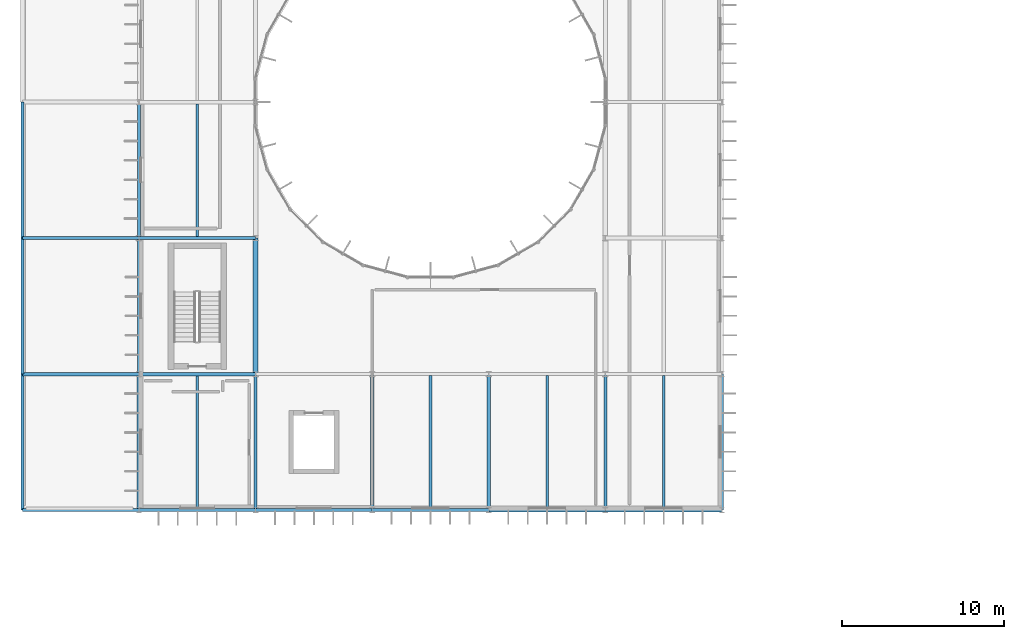
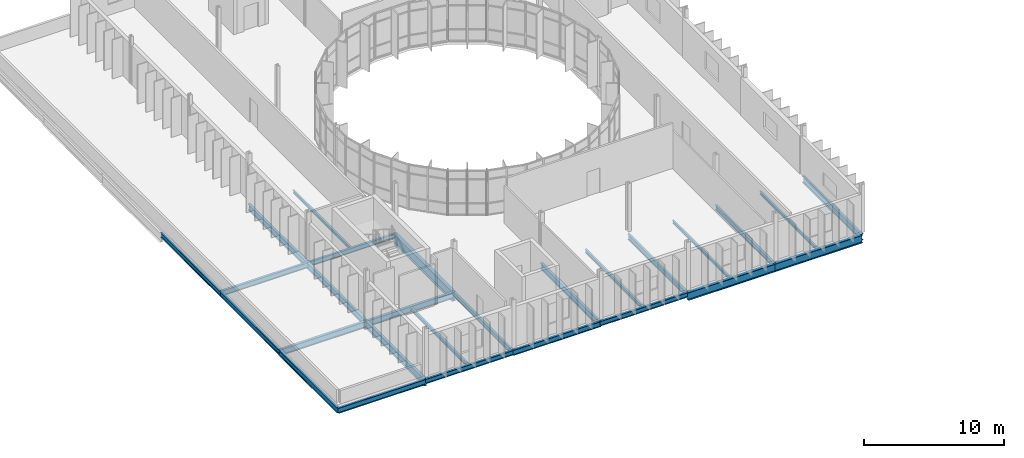
# One storey, part 13 of 52: 27 beams.
"""IFC4 building model written with IfcOpenShell, lengths in metres."""

from ifc_helpers import new_model, si_unit, direction, frame, origin, origin_2d, place, context, subcontext, project, spatial, i_section, extrude, material, material_profile, profile_set, type_object, element, save


model = new_model("IFC4")

# Units and contexts
model_context = context("Model", 3, precision=1e-05, world=origin(), true_north=direction((0.0, 1.0)))
body_context = subcontext(model_context, "Body", "Model", "MODEL_VIEW")
ifc_project = project(units=[si_unit("LENGTHUNIT", "METRE"), si_unit("AREAUNIT", "SQUARE_METRE"), si_unit("VOLUMEUNIT", "CUBIC_METRE"), si_unit("PLANEANGLEUNIT", "RADIAN"), si_unit("MASSUNIT", "GRAM", prefix="KILO")], contexts=[model_context])

# Site, building, storey
site_placement = place(None, origin())
site = spatial("IfcSite", under=ifc_project, at=site_placement, CompositionType="ELEMENT")
building_placement = place(site_placement, origin())
building = spatial("IfcBuilding", under=site, at=building_placement, Name="Qelthora Terrace Specialist Clinic", CompositionType="ELEMENT")
storey_placement = place(building_placement, frame((0.0, 0.0, 17.39990234375)))
storey = spatial("IfcBuildingStorey", under=building, at=storey_placement, Name="L04", CompositionType="ELEMENT", Elevation=17.39990234375)

# Beams
ifc_material = material(Name="Steel S355", Category="steel")
ifc_material_profile_1 = material_profile(ifc_material, i_section(OverallWidth=0.178955078125, OverallDepth=0.409912109375, WebThickness=0.0087890625, FlangeThickness=0.014404296875, FilletRadius=0.011962890625, at=origin_2d()), Name="W410X67")
ifc_profile_set_1 = profile_set([ifc_material_profile_1], Name="Steel S355")
beam_type_1 = type_object("IfcBeamType", Name="BM-W410X67", PredefinedType="BEAM", material=ifc_profile_set_1)
for number, where, z_axis, x_axis, name in (
    (1, (7.199951171875, 58.800048828125, -0.454833984375), (1.0, 0.0, 0.0), (0.0, 1.0, 0.0), "Girder BMX-L04-1146"),
    (2, (21.60009765625, 58.800048828125, -0.454833984375), (1.0, 0.0, 0.0), (0.0, 1.0, 0.0), "Girder BMX-L04-1148"),
    (3, (7.199951171875, 75.60009765625, -0.454833984375), (1.0, 0.0, 0.0), (0.0, 1.0, 0.0), "Girder BMX-L04-1162"),
):
    element("IfcBeam", number, at=place(storey_placement, frame(where, z_axis=z_axis, x_axis=x_axis)), inside=storey, type_object=beam_type_1, Name=name, PredefinedType="BEAM", context=body_context, shape_type="SweptSolid", body=[
        extrude(i_section(OverallWidth=0.178955078125, OverallDepth=0.409912109375, WebThickness=0.0087890625, FlangeThickness=0.014404296875, FilletRadius=0.011962890625, at=origin_2d()), origin(), (0.0, 0.0, 1.0), 7.199951171875),
    ])
for number, where, z_axis, x_axis, name in (
    (4, (0.0, 75.60009765625, -0.454833984375), (0.0, 1.0, 0.0), (-1.0, 0.0, 0.0), "Girder BMY-L04-1210"),
    (5, (14.39990234375, 58.800048828125, -0.454833984375), (0.0, 1.0, 0.0), (-1.0, 0.0, 0.0), "Girder BMY-L04-1220"),
    (6, (36.0, 58.800048828125, -0.454833984375), (0.0, 1.0, 0.0), (-1.0, 0.0, 0.0), "Girder BMY-L04-1230"),
):
    element("IfcBeam", number, at=place(storey_placement, frame(where, z_axis=z_axis, x_axis=x_axis)), inside=storey, type_object=beam_type_1, Name=name, PredefinedType="BEAM", context=body_context, shape_type="SweptSolid", body=[
        extrude(i_section(OverallWidth=0.178955078125, OverallDepth=0.409912109375, WebThickness=0.0087890625, FlangeThickness=0.014404296875, FilletRadius=0.011962890625, at=origin_2d()), origin(), (0.0, 0.0, 1.0), 8.39990234375),
    ])
ifc_material_profile_2 = material_profile(ifc_material, i_section(OverallWidth=0.179931640625, OverallDepth=0.4130859375, WebThickness=0.009765625, FlangeThickness=0.01611328125, FilletRadius=0.011962890625, at=origin_2d()), Name="W410X75")
ifc_profile_set_2 = profile_set([ifc_material_profile_2], Name="Steel S355")
beam_type_2 = type_object("IfcBeamType", Name="BM-W410X75", PredefinedType="BEAM", material=ifc_profile_set_2)
beam_1_placement = place(storey_placement, frame((0.0, 67.199951171875, -0.456298828125), z_axis=(0.0, 1.0, 0.0), x_axis=(-1.0, 0.0, 0.0)))
element("IfcBeam", 7, at=beam_1_placement, inside=storey, type_object=beam_type_2, Name="Girder BMY-L04-1209", PredefinedType="BEAM", context=body_context, shape_type="SweptSolid", body=[
    extrude(i_section(OverallWidth=0.179931640625, OverallDepth=0.4130859375, WebThickness=0.009765625, FlangeThickness=0.01611328125, FilletRadius=0.011962890625, at=origin_2d()), origin(), (0.0, 0.0, 1.0), 8.400146484375),
])
ifc_material_profile_3 = material_profile(ifc_material, i_section(OverallWidth=0.19091796875, OverallDepth=0.4599609375, WebThickness=0.010009765625, FlangeThickness=0.01611328125, FilletRadius=0.012939453125, at=origin_2d()), Name="W460X82")
ifc_profile_set_3 = profile_set([ifc_material_profile_3], Name="Steel S355")
beam_type_3 = type_object("IfcBeamType", Name="BM-W460X82", PredefinedType="BEAM", material=ifc_profile_set_3)
beam_2_placement = place(storey_placement, frame((14.39990234375, 58.800048828125, -0.47998046875), z_axis=(1.0, 0.0, 0.0), x_axis=(0.0, 1.0, 0.0)))
element("IfcBeam", 8, at=beam_2_placement, inside=storey, type_object=beam_type_3, Name="Girder BMX-L04-1147", PredefinedType="BEAM", context=body_context, shape_type="SweptSolid", body=[
    extrude(i_section(OverallWidth=0.19091796875, OverallDepth=0.4599609375, WebThickness=0.010009765625, FlangeThickness=0.01611328125, FilletRadius=0.012939453125, at=origin_2d()), origin(), (0.0, 0.0, 1.0), 7.2001953125),
])
for number, where, z_axis, x_axis, name in (
    (9, (0.0, 58.800048828125, -0.47998046875), (0.0, 1.0, 0.0), (-1.0, 0.0, 0.0), "Girder BMY-L04-1208"),
    (10, (28.800048828125, 58.800048828125, -0.47998046875), (0.0, 1.0, 0.0), (-1.0, 0.0, 0.0), "Girder BMY-L04-1228"),
):
    element("IfcBeam", number, at=place(storey_placement, frame(where, z_axis=z_axis, x_axis=x_axis)), inside=storey, type_object=beam_type_3, Name=name, PredefinedType="BEAM", context=body_context, shape_type="SweptSolid", body=[
        extrude(i_section(OverallWidth=0.19091796875, OverallDepth=0.4599609375, WebThickness=0.010009765625, FlangeThickness=0.01611328125, FilletRadius=0.012939453125, at=origin_2d()), origin(), (0.0, 0.0, 1.0), 8.39990234375),
    ])
ifc_material_profile_4 = material_profile(ifc_material, i_section(OverallWidth=0.2099609375, OverallDepth=0.537109375, WebThickness=0.010986328125, FlangeThickness=0.017333984375, FilletRadius=0.013916015625, at=origin_2d()), Name="W530X101")
ifc_profile_set_4 = profile_set([ifc_material_profile_4], Name="Steel S355")
beam_type_4 = type_object("IfcBeamType", Name="BM-W530X101", PredefinedType="BEAM", material=ifc_profile_set_4)
beam_3_placement = place(storey_placement, frame((7.199951171875, 67.199951171875, -0.518310546875), z_axis=(1.0, 0.0, 0.0), x_axis=(0.0, 1.0, 0.0)))
element("IfcBeam", 11, at=beam_3_placement, inside=storey, type_object=beam_type_4, Name="Girder BMX-L04-1154", PredefinedType="BEAM", context=body_context, shape_type="SweptSolid", body=[
    extrude(i_section(OverallWidth=0.2099609375, OverallDepth=0.537109375, WebThickness=0.010986328125, FlangeThickness=0.017333984375, FilletRadius=0.013916015625, at=origin_2d()), origin(), (0.0, 0.0, 1.0), 7.199951171875),
])
for number, where, z_axis, x_axis, name in (
    (12, (7.199951171875, 75.60009765625, -0.518310546875), (0.0, 1.0, 0.0), (-1.0, 0.0, 0.0), "Girder BMY-L04-1216"),
    (13, (21.60009765625, 58.800048828125, -0.518310546875), (0.0, 1.0, 0.0), (-1.0, 0.0, 0.0), "Girder BMY-L04-1226"),
    (14, (43.199951171875, 58.800048828125, -0.518310546875), (0.0, 1.0, 0.0), (-1.0, 0.0, 0.0), "Girder BMY-L04-1236"),
):
    element("IfcBeam", number, at=place(storey_placement, frame(where, z_axis=z_axis, x_axis=x_axis)), inside=storey, type_object=beam_type_4, Name=name, PredefinedType="BEAM", context=body_context, shape_type="SweptSolid", body=[
        extrude(i_section(OverallWidth=0.2099609375, OverallDepth=0.537109375, WebThickness=0.010986328125, FlangeThickness=0.017333984375, FilletRadius=0.013916015625, at=origin_2d()), origin(), (0.0, 0.0, 1.0), 8.39990234375),
    ])
ifc_material_profile_5 = material_profile(ifc_material, i_section(OverallWidth=0.2119140625, OverallDepth=0.5439453125, WebThickness=0.01318359375, FlangeThickness=0.021240234375, FilletRadius=0.013916015625, at=origin_2d()), Name="W530X123")
ifc_profile_set_5 = profile_set([ifc_material_profile_5], Name="Steel S355")
beam_type_5 = type_object("IfcBeamType", Name="BM-W530X123", PredefinedType="BEAM", material=ifc_profile_set_5)
beam_4_placement = place(storey_placement, frame((0.0, 67.199951171875, -0.52197265625), z_axis=(1.0, 0.0, 0.0), x_axis=(0.0, 1.0, 0.0)))
element("IfcBeam", 15, at=beam_4_placement, inside=storey, type_object=beam_type_5, Name="Girder BMX-L04-1153", PredefinedType="BEAM", context=body_context, shape_type="SweptSolid", body=[
    extrude(i_section(OverallWidth=0.2119140625, OverallDepth=0.5439453125, WebThickness=0.01318359375, FlangeThickness=0.021240234375, FilletRadius=0.013916015625, at=origin_2d()), origin(), (0.0, 0.0, 1.0), 7.199951171875),
])
beam_5_placement = place(storey_placement, frame((7.199951171875, 67.199951171875, -0.52197265625), z_axis=(0.0, 1.0, 0.0), x_axis=(-1.0, 0.0, 0.0)))
element("IfcBeam", 16, at=beam_5_placement, inside=storey, type_object=beam_type_5, Name="Girder BMY-L04-1215", PredefinedType="BEAM", context=body_context, shape_type="SweptSolid", body=[
    extrude(i_section(OverallWidth=0.2119140625, OverallDepth=0.5439453125, WebThickness=0.01318359375, FlangeThickness=0.021240234375, FilletRadius=0.013916015625, at=origin_2d()), origin(), (0.0, 0.0, 1.0), 8.400146484375),
])
ifc_material_profile_6 = material_profile(ifc_material, i_section(OverallWidth=0.22998046875, OverallDepth=0.616943359375, WebThickness=0.01318359375, FlangeThickness=0.022216796875, FilletRadius=0.01611328125, at=origin_2d()), Name="W610X140")
ifc_profile_set_6 = profile_set([ifc_material_profile_6], Name="Steel S355")
beam_type_6 = type_object("IfcBeamType", Name="BM-W610X140", PredefinedType="BEAM", material=ifc_profile_set_6)
beam_6_placement = place(storey_placement, frame((7.199951171875, 58.800048828125, -0.558349609375), z_axis=(0.0, 1.0, 0.0), x_axis=(-1.0, 0.0, 0.0)))
element("IfcBeam", 17, at=beam_6_placement, inside=storey, type_object=beam_type_6, Name="Girder BMY-L04-1214", PredefinedType="BEAM", context=body_context, shape_type="SweptSolid", body=[
    extrude(i_section(OverallWidth=0.22998046875, OverallDepth=0.616943359375, WebThickness=0.01318359375, FlangeThickness=0.022216796875, FilletRadius=0.01611328125, at=origin_2d()), origin(), (0.0, 0.0, 1.0), 8.39990234375),
])
ifc_material_profile_7 = material_profile(ifc_material, i_section(OverallWidth=0.25390625, OverallDepth=0.68798828125, WebThickness=0.01318359375, FlangeThickness=0.02099609375, FilletRadius=0.01806640625, at=origin_2d()), Name="W690X152")
ifc_profile_set_7 = profile_set([ifc_material_profile_7], Name="Steel S355")
beam_type_7 = type_object("IfcBeamType", Name="BM-W690X152", PredefinedType="BEAM", material=ifc_profile_set_7)
beam_7_placement = place(storey_placement, frame((36.0, 58.800048828125, -0.593994140625), z_axis=(1.0, 0.0, 0.0), x_axis=(0.0, 1.0, 0.0)))
element("IfcBeam", 18, at=beam_7_placement, inside=storey, type_object=beam_type_7, Name="Girder BMX-L04-1150", PredefinedType="BEAM", context=body_context, shape_type="SweptSolid", body=[
    extrude(i_section(OverallWidth=0.25390625, OverallDepth=0.68798828125, WebThickness=0.01318359375, FlangeThickness=0.02099609375, FilletRadius=0.01806640625, at=origin_2d()), origin(), (0.0, 0.0, 1.0), 7.199951171875),
])
ifc_material_profile_8 = material_profile(ifc_material, i_section(OverallWidth=0.256103515625, OverallDepth=0.693115234375, WebThickness=0.014404296875, FlangeThickness=0.023681640625, FilletRadius=0.01806640625, at=origin_2d()), Name="W690X170")
ifc_profile_set_8 = profile_set([ifc_material_profile_8], Name="Steel S355")
beam_type_8 = type_object("IfcBeamType", Name="BM-W690X170", PredefinedType="BEAM", material=ifc_profile_set_8)
beam_8_placement = place(storey_placement, frame((28.800048828125, 58.800048828125, -0.596435546875), z_axis=(1.0, 0.0, 0.0), x_axis=(0.0, 1.0, 0.0)))
element("IfcBeam", 19, at=beam_8_placement, inside=storey, type_object=beam_type_8, Name="Girder BMX-L04-1149", PredefinedType="BEAM", context=body_context, shape_type="SweptSolid", body=[
    extrude(i_section(OverallWidth=0.256103515625, OverallDepth=0.693115234375, WebThickness=0.014404296875, FlangeThickness=0.023681640625, FilletRadius=0.01806640625, at=origin_2d()), origin(), (0.0, 0.0, 1.0), 7.199951171875),
])
ifc_material_profile_9 = material_profile(ifc_material, i_section(OverallWidth=0.2939453125, OverallDepth=0.85107421875, WebThickness=0.01611328125, FlangeThickness=0.02685546875, FilletRadius=0.02001953125, at=origin_2d()), Name="W840X226")
ifc_profile_set_9 = profile_set([ifc_material_profile_9], Name="Steel S355")
beam_type_9 = type_object("IfcBeamType", Name="BM-W840X226", PredefinedType="BEAM", material=ifc_profile_set_9)
beam_9_placement = place(storey_placement, frame((14.39990234375, 67.199951171875, -0.67529296875), z_axis=(0.0, 1.0, 0.0), x_axis=(-1.0, 0.0, 0.0)))
element("IfcBeam", 20, at=beam_9_placement, inside=storey, type_object=beam_type_9, Name="Girder BMY-L04-1221", PredefinedType="BEAM", context=body_context, shape_type="SweptSolid", body=[
    extrude(i_section(OverallWidth=0.2939453125, OverallDepth=0.85107421875, WebThickness=0.01611328125, FlangeThickness=0.02685546875, FilletRadius=0.02001953125, at=origin_2d()), origin(), (0.0, 0.0, 1.0), 8.400146484375),
])
ifc_material_profile_10 = material_profile(ifc_material, i_section(OverallWidth=0.14599609375, OverallDepth=0.258056640625, WebThickness=0.006103515625, FlangeThickness=0.009033203125, FilletRadius=0.009033203125, at=origin_2d()), Name="W250X33")
ifc_profile_set_10 = profile_set([ifc_material_profile_10], Name="Steel S355")
beam_type_10 = type_object("IfcBeamType", Name="JST-W250X33", PredefinedType="JOIST", material=ifc_profile_set_10)
beam_10_placement = place(storey_placement, frame((39.60009765625, 58.927001953125, -0.37890625), z_axis=(0.0, 1.0, 0.0), x_axis=(-1.0, 0.0, 0.0)))
element("IfcBeam", 21, at=beam_10_placement, inside=storey, type_object=beam_type_10, Name="Composite floor joist JST-L04-0270", PredefinedType="JOIST", context=body_context, shape_type="SweptSolid", body=[
    extrude(i_section(OverallWidth=0.14599609375, OverallDepth=0.258056640625, WebThickness=0.006103515625, FlangeThickness=0.009033203125, FilletRadius=0.009033203125, at=origin_2d()), origin(), (0.0, 0.0, 1.0), 8.177490234375),
])
ifc_material_profile_11 = material_profile(ifc_material, i_section(OverallWidth=0.14697265625, OverallDepth=0.261962890625, WebThickness=0.006591796875, FlangeThickness=0.01123046875, FilletRadius=0.009033203125, at=origin_2d()), Name="W250X39")
ifc_profile_set_11 = profile_set([ifc_material_profile_11], Name="Steel S355")
beam_type_11 = type_object("IfcBeamType", Name="JST-W250X39", PredefinedType="JOIST", material=ifc_profile_set_11)
beam_11_placement = place(storey_placement, frame((10.800048828125, 75.689453125, -0.380859375), z_axis=(0.0, 1.0, 0.0), x_axis=(-1.0, 0.0, 0.0)))
element("IfcBeam", 22, at=beam_11_placement, inside=storey, type_object=beam_type_11, Name="Composite floor joist JST-L04-0263", PredefinedType="JOIST", context=body_context, shape_type="SweptSolid", body=[
    extrude(i_section(OverallWidth=0.14697265625, OverallDepth=0.261962890625, WebThickness=0.006591796875, FlangeThickness=0.01123046875, FilletRadius=0.009033203125, at=origin_2d()), origin(), (0.0, 0.0, 1.0), 8.20458984375),
])
beam_12_placement = place(storey_placement, frame((32.39990234375, 58.927978515625, -0.380859375), z_axis=(0.0, 1.0, 0.0), x_axis=(-1.0, 0.0, 0.0)))
element("IfcBeam", 23, at=beam_12_placement, inside=storey, type_object=beam_type_11, Name="Composite floor joist JST-L04-0269", PredefinedType="JOIST", context=body_context, shape_type="SweptSolid", body=[
    extrude(i_section(OverallWidth=0.14697265625, OverallDepth=0.261962890625, WebThickness=0.006591796875, FlangeThickness=0.01123046875, FilletRadius=0.009033203125, at=origin_2d()), origin(), (0.0, 0.0, 1.0), 8.18212890625),
])
ifc_material_profile_12 = material_profile(ifc_material, i_section(OverallWidth=0.166015625, OverallDepth=0.31298828125, WebThickness=0.006591796875, FlangeThickness=0.01123046875, FilletRadius=0.010009765625, at=origin_2d()), Name="W310X45")
ifc_profile_set_12 = profile_set([ifc_material_profile_12], Name="Steel S355")
beam_type_12 = type_object("IfcBeamType", Name="JST-W310X45", PredefinedType="JOIST", material=ifc_profile_set_12)
beam_13_placement = place(storey_placement, frame((10.800048828125, 58.889404296875, -0.406494140625), z_axis=(0.0, 1.0, 0.0), x_axis=(-1.0, 0.0, 0.0)))
element("IfcBeam", 24, at=beam_13_placement, inside=storey, type_object=beam_type_12, Name="Composite floor joist JST-L04-0262", PredefinedType="JOIST", context=body_context, shape_type="SweptSolid", body=[
    extrude(i_section(OverallWidth=0.166015625, OverallDepth=0.31298828125, WebThickness=0.006591796875, FlangeThickness=0.01123046875, FilletRadius=0.010009765625, at=origin_2d()), origin(), (0.0, 0.0, 1.0), 8.20556640625),
])
ifc_material_profile_13 = material_profile(ifc_material, i_section(OverallWidth=0.1669921875, OverallDepth=0.31689453125, WebThickness=0.007568359375, FlangeThickness=0.01318359375, FilletRadius=0.010009765625, at=origin_2d()), Name="W310X52")
ifc_profile_set_13 = profile_set([ifc_material_profile_13], Name="Steel S355")
beam_type_13 = type_object("IfcBeamType", Name="JST-W310X52", PredefinedType="JOIST", material=ifc_profile_set_13)
beam_14_placement = place(storey_placement, frame((25.199951171875, 58.889404296875, -0.408447265625), z_axis=(0.0, 1.0, 0.0), x_axis=(-1.0, 0.0, 0.0)))
element("IfcBeam", 25, at=beam_14_placement, inside=storey, type_object=beam_type_13, Name="Composite floor joist JST-L04-0267", PredefinedType="JOIST", context=body_context, shape_type="SweptSolid", body=[
    extrude(i_section(OverallWidth=0.1669921875, OverallDepth=0.31689453125, WebThickness=0.007568359375, FlangeThickness=0.01318359375, FilletRadius=0.010009765625, at=origin_2d()), origin(), (0.0, 0.0, 1.0), 8.215087890625),
])
ifc_material_profile_14 = material_profile(ifc_material, i_section(OverallWidth=0.19091796875, OverallDepth=0.4599609375, WebThickness=0.010009765625, FlangeThickness=0.01611328125, FilletRadius=0.012939453125, at=origin_2d()), Name="W460X82")
ifc_profile_set_14 = profile_set([ifc_material_profile_14], Name="Steel S355")
beam_type_14 = type_object("IfcBeamType", Name="SPD-W460X82", PredefinedType="SPANDREL", material=ifc_profile_set_14)
for number, where, z_axis, x_axis, name in (
    (26, (0.0, 58.800048828125, -0.47998046875), (1.0, 0.0, 0.0), (0.0, 1.0, 0.0), "Girder BMX-L04-1145"),
    (27, (0.0, 75.60009765625, -0.47998046875), (1.0, 0.0, 0.0), (0.0, 1.0, 0.0), "Girder BMX-L04-1161"),
):
    element("IfcBeam", number, at=place(storey_placement, frame(where, z_axis=z_axis, x_axis=x_axis)), inside=storey, type_object=beam_type_14, Name=name, PredefinedType="SPANDREL", context=body_context, shape_type="SweptSolid", body=[
        extrude(i_section(OverallWidth=0.19091796875, OverallDepth=0.4599609375, WebThickness=0.010009765625, FlangeThickness=0.01611328125, FilletRadius=0.012939453125, at=origin_2d()), origin(), (0.0, 0.0, 1.0), 7.199951171875),
    ])

save(model, "model.ifc")
